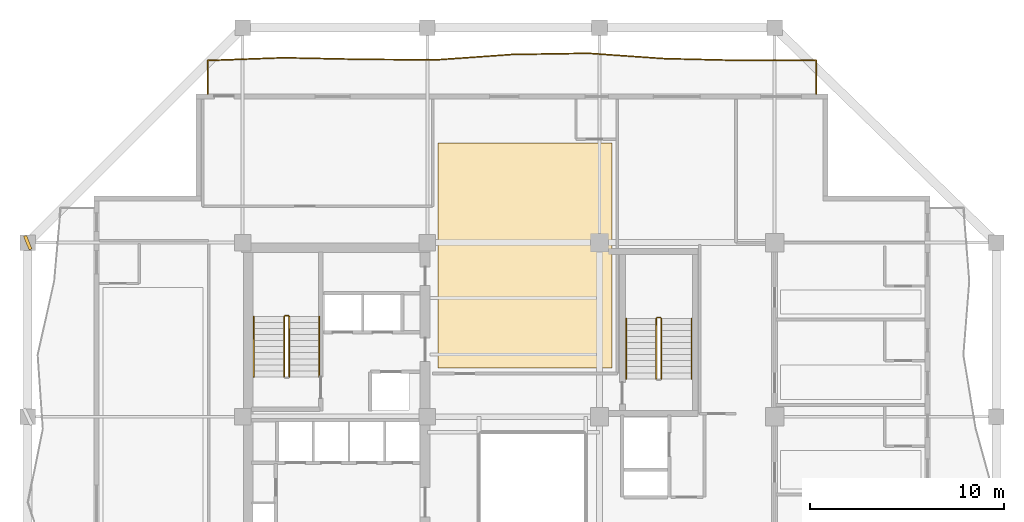
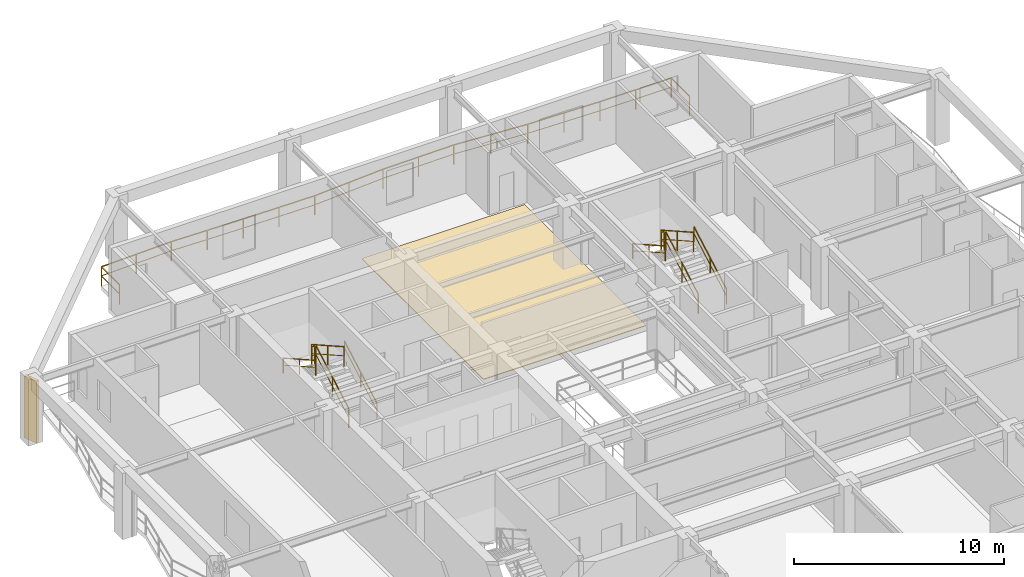
# One storey, part 11 of 13: 11 railings, 1 covering, 1 shading device.
"""IFC4 building model written with IfcOpenShell, lengths in metres."""

import ifcopenshell
import ifcopenshell.guid

model = None  # the IFC model being written
_history = None  # IfcOwnerHistory: only IFC2X3 demands one
_inside = {}  # id of a spatial element -> (the spatial element, [elements in it])
_under = {}  # id of a project, library or spatial element -> (it, [spatial elements below it])
_declared = {}  # id of a project -> (the project, [libraries it declares])
_typed = {}  # id of a type object -> (the type object, [elements of that type])
_made_of = {}  # id of a material, layer set ... -> (it, [elements and type objects made of it])


def new_model(schema):
    """Start an empty IFC model of exactly this schema.

    Asked for "IFC4X3", IfcOpenShell would pick the latest addendum, in which some entities
    have other attributes; the version numbers below select the first issue.
    IFC2X3 requires an IfcOwnerHistory on every rooted entity: one is made here for all.
    """
    global model, _history
    if schema == "IFC4X3":
        model = ifcopenshell.file(schema_version=(4, 3, 0, 0))
    else:
        model = ifcopenshell.file(schema=schema)
    _inside.clear()
    _under.clear()
    _declared.clear()
    _typed.clear()
    _made_of.clear()
    _history = None
    if model.schema == "IFC2X3":
        org = make("IfcOrganization", Name="unknown")
        user = make(
            "IfcPersonAndOrganization",
            ThePerson=make("IfcPerson", FamilyName="unknown"),
            TheOrganization=org,
        )
        app = make(
            "IfcApplication",
            ApplicationDeveloper=org,
            Version="unknown",
            ApplicationFullName="unknown",
            ApplicationIdentifier="unknown",
        )
        _history = make(
            "IfcOwnerHistory",
            OwningUser=user,
            OwningApplication=app,
            ChangeAction="ADDED",
            CreationDate=0,
        )
    return model


def make(cls, **values):
    """One entity of the class cls with the attributes given. An attribute that is None is left unset."""
    return model.create_entity(
        cls, **{name: value for name, value in values.items() if value is not None}
    )


def rooted(cls, **values):
    """An entity with a GlobalId (a new one), such as an element, a storey or a relation."""
    return make(cls, GlobalId=ifcopenshell.guid.new(), OwnerHistory=_history, **values)


def si_unit(unit_type, name, prefix=None):
    """IfcSIUnit, for example si_unit("LENGTHUNIT", "METRE", prefix="MILLI")."""
    return make("IfcSIUnit", UnitType=unit_type, Prefix=prefix, Name=name)


def assignment(units):
    """IfcUnitAssignment: the units of a project."""
    return None if units is None else make("IfcUnitAssignment", Units=units)


def point(xyz):
    """IfcCartesianPoint."""
    return None if xyz is None else make("IfcCartesianPoint", Coordinates=xyz)


def direction(xyz):
    """IfcDirection."""
    return None if xyz is None else make("IfcDirection", DirectionRatios=xyz)


def frame(location, z_axis=None, x_axis=None):
    """IfcAxis2Placement3D, a coordinate frame: its origin and axes. An axis left out is left unset."""
    return make(
        "IfcAxis2Placement3D",
        Location=point(location),
        Axis=direction(z_axis),
        RefDirection=direction(x_axis),
    )


def frame_2d(location, x_axis=None):
    """IfcAxis2Placement2D, a coordinate frame in the plane: its origin and x axis."""
    return make(
        "IfcAxis2Placement2D", Location=point(location), RefDirection=direction(x_axis)
    )


def origin():
    """The frame at (0, 0, 0) with its axes left unset."""
    return frame((0.0, 0.0, 0.0))


def origin_2d():
    """The frame at (0, 0) in the plane with its x axis left unset."""
    return frame_2d((0.0, 0.0))


def place(relative_to, where):
    """IfcLocalPlacement: puts the frame where relative to a parent placement (None: the world)."""
    return make(
        "IfcLocalPlacement", PlacementRelTo=relative_to, RelativePlacement=where
    )


def context(
    kind, dimensions, precision=None, world=None, true_north=None, identifier=None
):
    """IfcGeometricRepresentationContext, for example the 3D "Model" context."""
    return make(
        "IfcGeometricRepresentationContext",
        ContextIdentifier=identifier,
        ContextType=kind,
        CoordinateSpaceDimension=dimensions,
        Precision=precision,
        WorldCoordinateSystem=world,
        TrueNorth=true_north,
    )


def subcontext(parent, identifier, kind, view, scale=None):
    """IfcGeometricRepresentationSubContext, for example "Body" below "Model"."""
    return make(
        "IfcGeometricRepresentationSubContext",
        ContextIdentifier=identifier,
        ContextType=kind,
        ParentContext=parent,
        TargetScale=scale,
        TargetView=view,
    )


def project(units=None, contexts=None):
    """IfcProject with its units and contexts."""
    return rooted(
        "IfcProject",
        Name="project",
        RepresentationContexts=contexts,
        UnitsInContext=assignment(units),
    )


def spatial(cls, under=None, at=None, **own):
    """A site, building, storey or space (cls), placed at a placement, below another one or the project."""
    s = rooted(cls, ObjectPlacement=at, **own)
    if under is not None:
        _under.setdefault(under.id(), (under, []))[1].append(s)
    return s


def polyline(points):
    """IfcPolyline through the points."""
    return make("IfcPolyline", Points=[point(p) for p in points])


def profile(cls, at=None, kind="AREA", **sizes):
    """A parametric profile (cls). Its sizes go by their IFC names, for example OverallWidth=200.0."""
    return make(cls, ProfileType=kind, Position=at, **sizes)


def rectangle(**sizes):
    """IfcRectangleProfileDef."""
    return profile("IfcRectangleProfileDef", **sizes)


def outline(outer, holes=None, kind="AREA"):
    """IfcArbitraryClosedProfileDef: a profile drawn as a closed curve; with holes, ...WithVoids."""
    if holes is None:
        return make("IfcArbitraryClosedProfileDef", ProfileType=kind, OuterCurve=outer)
    return make(
        "IfcArbitraryProfileDefWithVoids",
        ProfileType=kind,
        OuterCurve=outer,
        InnerCurves=holes,
    )


def extrude(swept, where, along, depth):
    """IfcExtrudedAreaSolid: the profile swept, set in the frame where, extruded along a direction by depth."""
    return make(
        "IfcExtrudedAreaSolid",
        SweptArea=swept,
        Position=where,
        ExtrudedDirection=direction(along),
        Depth=depth,
    )


def shape(context_of_items, identifier, shape_type, items):
    """IfcShapeRepresentation: the items that make up one representation, for example the "Body"."""
    return make(
        "IfcShapeRepresentation",
        ContextOfItems=context_of_items,
        RepresentationIdentifier=identifier,
        RepresentationType=shape_type,
        Items=items,
    )


def material(Name=None, Category=None):
    """IfcMaterial."""
    return make("IfcMaterial", Name=Name, Category=Category)


def layer(
    of_material, thickness, ventilated=None, Name=None, Category=None, Priority=None
):
    """IfcMaterialLayer: one layer of a wall or slab, of a material (None: an air gap)."""
    return make(
        "IfcMaterialLayer",
        Material=of_material,
        LayerThickness=thickness,
        IsVentilated=ventilated,
        Name=Name,
        Category=Category,
        Priority=Priority,
    )


def layer_set(layers, Name=None):
    """IfcMaterialLayerSet."""
    return make("IfcMaterialLayerSet", MaterialLayers=layers, LayerSetName=Name)


def made_of(thing, what):
    """Note that an element or type object is made of a material, layer set ...; save() writes the relation."""
    if what is not None:
        _made_of.setdefault(what.id(), (what, []))[1].append(thing)
    return thing


def type_object(cls, material=None, **own):
    """A type object (cls), such as IfcWallType, which elements share."""
    return made_of(rooted(cls, **own), material)


def element(
    cls,
    number,
    at=None,
    inside=None,
    cuts=None,
    type_object=None,
    material=None,
    context=None,
    identifier="Body",
    shape_type=None,
    held_by="IfcProductDefinitionShape",
    body=None,
    shapes=None,
    **own,
):
    """One element of the class cls, such as IfcWall. Its Tag is "e" and its number.

    at: its placement. inside: the storey or other place that contains it. cuts: it is an
    opening in that element (IfcRelVoidsElement). A single representation is given by context,
    identifier, shape_type and body (its items); several are given by shapes. held_by: the class
    of the entity that holds the representations. save() writes the other relations.
    """
    e = rooted(cls, Tag="e%d" % number, ObjectPlacement=at, **own)
    if body is not None:
        shapes = [shape(context, identifier, shape_type, body)]
    if shapes is not None:
        e.Representation = make(held_by, Representations=shapes)
    if inside is not None:
        _inside.setdefault(inside.id(), (inside, []))[1].append(e)
    if cuts is not None:
        rooted(
            "IfcRelVoidsElement", RelatingBuildingElement=cuts, RelatedOpeningElement=e
        )
    if type_object is not None:
        _typed.setdefault(type_object.id(), (type_object, []))[1].append(e)
    return made_of(e, material)


def aggregate(whole, parts):
    """IfcRelAggregates: a whole, such as a stair, and the parts it consists of."""
    return rooted("IfcRelAggregates", RelatingObject=whole, RelatedObjects=parts)


def save(model, path):
    """Write the relations noted so far, then the file.

    IfcRelAggregates (storeys below a building ...), IfcRelContainedInSpatialStructure (elements
    in a storey), IfcRelDefinesByType, IfcRelAssociatesMaterial and IfcRelDeclares: one each for
    every whole, place, type object, material and project.
    """
    for whole, parts in _under.values():
        aggregate(whole, parts)
    for where, things in _inside.values():
        rooted(
            "IfcRelContainedInSpatialStructure",
            RelatedElements=things,
            RelatingStructure=where,
        )
    for kind, things in _typed.values():
        rooted("IfcRelDefinesByType", RelatedObjects=things, RelatingType=kind)
    for what, things in _made_of.values():
        rooted("IfcRelAssociatesMaterial", RelatedObjects=things, RelatingMaterial=what)
    for by, libraries in _declared.values():
        rooted("IfcRelDeclares", RelatingContext=by, RelatedDefinitions=libraries)
    model.write(path)


model = new_model("IFC4")

# Units and contexts
model_context = context("Model", 3, precision=1e-05, world=origin(), true_north=direction((0.0, 1.0)))
body_context = subcontext(model_context, "Body", "Model", "MODEL_VIEW")
ifc_project = project(units=[si_unit("LENGTHUNIT", "METRE"), si_unit("AREAUNIT", "SQUARE_METRE"), si_unit("VOLUMEUNIT", "CUBIC_METRE"), si_unit("PLANEANGLEUNIT", "RADIAN"), si_unit("MASSUNIT", "GRAM", prefix="KILO")], contexts=[model_context])

# Site, building, storey
site_placement = place(None, origin())
site = spatial("IfcSite", under=ifc_project, at=site_placement, CompositionType="ELEMENT")
building_placement = place(site_placement, origin())
building = spatial("IfcBuilding", under=site, at=building_placement, Name="Kundavana Baori Tower", CompositionType="ELEMENT")
storey_placement = place(building_placement, frame((0.0, 0.0, 184.85009765625)))
storey = spatial("IfcBuildingStorey", under=building, at=storey_placement, Name="L45", CompositionType="ELEMENT", Elevation=184.85009765625)

# Covering
ifc_material_1 = material(Name="Honed Kota Stone and Terrazzo Flooring", Category="masonry")
ifc_layer = layer(ifc_material_1, 0.0400390625, Name="COV-FLR-TERR-40")
ifc_layer_set = layer_set([ifc_layer], Name="Honed Kota Stone and Terrazzo Flooring")
covering_type = type_object("IfcCoveringType", Name="COV-FLR-TERR-40", PredefinedType="FLOORING", material=ifc_layer_set)
covering_placement = place(storey_placement, origin())
element("IfcCovering", 1, at=covering_placement, inside=storey, type_object=covering_type, Name="L45 Room Finished Stone Flooring 10", PredefinedType="FLOORING", context=body_context, shape_type="SweptSolid", body=[
    extrude(outline(polyline([(25.5, 35.5), (34.43994140625, 35.5), (34.43994140625, 47.070068359375), (25.5, 47.070068359375), (25.5, 35.5)])), origin(), (0.0, 0.0, 1.0), 0.039794921875),
])

# Railings
ifc_material_2 = material(Name="Architectural Patinated Bronze Metalwork")
railing_type_1 = type_object("IfcRailingType", Name="RL-BAL-1150", PredefinedType="BALUSTRADE", material=ifc_material_2)
railing_1_placement = place(storey_placement, frame((13.64990234375, 49.60009765625, 0.0)))
element("IfcRailing", 2, at=railing_1_placement, inside=storey, type_object=railing_type_1, Name="L45 Loggia Balcony Balustrade N", PredefinedType="BALUSTRADE", context=body_context, shape_type="SweptSolid", body=[
    extrude(rectangle(XDim=0.048095703125, YDim=0.048095703125, at=origin_2d()), frame((0.0, 0.0, 1.1259765625), z_axis=(0.0, 1.0, 0.0), x_axis=(-1.0, 0.0, 0.0)), (0.0, 0.0, 1.0), 1.719970703125),
    extrude(rectangle(XDim=0.03125, YDim=0.03125, at=origin_2d()), frame((0.0, 0.0, 0.597900390625), z_axis=(0.0, 1.0, 0.0), x_axis=(-1.0, 0.0, 0.0)), (0.0, 0.0, 1.0), 1.719970703125),
    extrude(rectangle(XDim=0.048095703125, YDim=0.048095703125, at=origin_2d()), frame((0.0, 1.719970703125, 1.1259765625), z_axis=(0.999352324192, 0.035985165443, 0.0), x_axis=(-0.035985165443, 0.999352324192, 0.0)), (0.0, 0.0, 1.0), 3.91455078125),
    extrude(rectangle(XDim=0.03125, YDim=0.03125, at=origin_2d()), frame((0.0, 1.719970703125, 0.597900390625), z_axis=(0.999352324192, 0.035985165443, 0.0), x_axis=(-0.035985165443, 0.999352324192, 0.0)), (0.0, 0.0, 1.0), 3.91455078125),
    extrude(rectangle(XDim=0.048095703125, YDim=0.048095703125, at=origin_2d()), frame((3.912109375, 1.86083984375, 1.1259765625), z_axis=(0.999785539271, -0.02070930865, 0.0), x_axis=(0.02070930865, 0.999785539271, 0.0)), (0.0, 0.0, 1.0), 3.913818359375),
    extrude(rectangle(XDim=0.03125, YDim=0.03125, at=origin_2d()), frame((3.912109375, 1.86083984375, 0.597900390625), z_axis=(0.999785539271, -0.02070930865, 0.0), x_axis=(0.02070930865, 0.999785539271, 0.0)), (0.0, 0.0, 1.0), 3.913818359375),
    extrude(rectangle(XDim=0.048095703125, YDim=0.048095703125, at=origin_2d()), frame((7.8251953125, 1.77978515625, 1.1259765625), z_axis=(0.999972897342, -0.007362376108, 0.0), x_axis=(0.007362376108, 0.999972897342, 0.0)), (0.0, 0.0, 1.0), 3.912841796875),
    extrude(rectangle(XDim=0.03125, YDim=0.03125, at=origin_2d()), frame((7.8251953125, 1.77978515625, 0.597900390625), z_axis=(0.999972897342, -0.007362376108, 0.0), x_axis=(0.007362376108, 0.999972897342, 0.0)), (0.0, 0.0, 1.0), 3.912841796875),
    extrude(rectangle(XDim=0.048095703125, YDim=0.048095703125, at=origin_2d()), frame((11.738037109375, 1.7509765625, 1.1259765625), z_axis=(0.997470062479, 0.071087794018, 0.0), x_axis=(-0.071087794018, 0.997470062479, 0.0)), (0.0, 0.0, 1.0), 3.922119140625),
    extrude(rectangle(XDim=0.03125, YDim=0.03125, at=origin_2d()), frame((11.738037109375, 1.7509765625, 0.597900390625), z_axis=(0.997470062479, 0.071087794018, 0.0), x_axis=(-0.071087794018, 0.997470062479, 0.0)), (0.0, 0.0, 1.0), 3.922119140625),
    extrude(rectangle(XDim=0.048095703125, YDim=0.048095703125, at=origin_2d()), frame((15.650146484375, 2.02978515625, 1.1259765625), z_axis=(0.999878362831, 0.015596779853, 0.0), x_axis=(-0.015596779853, 0.999878362831, 0.0)), (0.0, 0.0, 1.0), 3.913330078125),
    extrude(rectangle(XDim=0.03125, YDim=0.03125, at=origin_2d()), frame((15.650146484375, 2.02978515625, 0.597900390625), z_axis=(0.999878362831, 0.015596779853, 0.0), x_axis=(-0.015596779853, 0.999878362831, 0.0)), (0.0, 0.0, 1.0), 3.913330078125),
    extrude(rectangle(XDim=0.048095703125, YDim=0.048095703125, at=origin_2d()), frame((19.56298828125, 2.0908203125, 1.1259765625), z_axis=(0.997557579255, -0.069848951818, 0.0), x_axis=(0.069848951818, 0.997557579255, 0.0)), (0.0, 0.0, 1.0), 3.921630859375),
    extrude(rectangle(XDim=0.03125, YDim=0.03125, at=origin_2d()), frame((19.56298828125, 2.0908203125, 0.597900390625), z_axis=(0.997557579255, -0.069848951818, 0.0), x_axis=(0.069848951818, 0.997557579255, 0.0)), (0.0, 0.0, 1.0), 3.921630859375),
    extrude(rectangle(XDim=0.048095703125, YDim=0.048095703125, at=origin_2d()), frame((23.47509765625, 1.81689453125, 1.1259765625), z_axis=(0.999711633431, -0.024013537489, 0.0), x_axis=(0.024013537489, 0.999711633431, 0.0)), (0.0, 0.0, 1.0), 3.914306640625),
    extrude(rectangle(XDim=0.03125, YDim=0.03125, at=origin_2d()), frame((23.47509765625, 1.81689453125, 0.597900390625), z_axis=(0.999711633431, -0.024013537489, 0.0), x_axis=(0.024013537489, 0.999711633431, 0.0)), (0.0, 0.0, 1.0), 3.914306640625),
    extrude(rectangle(XDim=0.048095703125, YDim=0.048095703125, at=origin_2d()), frame((27.38818359375, 1.722900390625, 1.1259765625), z_axis=(0.999999719557, -0.000748923213, 0.0), x_axis=(0.000748923213, 0.999999719557, 0.0)), (0.0, 0.0, 1.0), 3.911865234375),
    extrude(rectangle(XDim=0.03125, YDim=0.03125, at=origin_2d()), frame((27.38818359375, 1.722900390625, 0.597900390625), z_axis=(0.999999719557, -0.000748923213, 0.0), x_axis=(0.000748923213, 0.999999719557, 0.0)), (0.0, 0.0, 1.0), 3.911865234375),
    extrude(rectangle(XDim=0.048095703125, YDim=0.048095703125, at=origin_2d()), frame((31.300048828125, 1.719970703125, 1.1259765625), z_axis=(0.0, -1.0, 0.0), x_axis=(1.0, 0.0, 0.0)), (0.0, 0.0, 1.0), 1.719970703125),
    extrude(rectangle(XDim=0.03125, YDim=0.03125, at=origin_2d()), frame((31.300048828125, 1.719970703125, 0.597900390625), z_axis=(0.0, -1.0, 0.0), x_axis=(1.0, 0.0, 0.0)), (0.0, 0.0, 1.0), 1.719970703125),
    extrude(rectangle(XDim=0.0419921875, YDim=0.0419921875, at=origin_2d()), origin(), (0.0, 0.0, 1.0), 1.101806640625),
    extrude(rectangle(XDim=0.0419921875, YDim=0.0419921875, at=origin_2d()), frame((0.0, 1.719970703125, 0.0)), (0.0, 0.0, 1.0), 1.101806640625),
    extrude(rectangle(XDim=0.0419921875, YDim=0.0419921875, at=origin_2d()), frame((1.9560546875, 1.79052734375, 0.0)), (0.0, 0.0, 1.0), 1.101806640625),
    extrude(rectangle(XDim=0.0419921875, YDim=0.0419921875, at=origin_2d()), frame((3.912109375, 1.86083984375, 0.0)), (0.0, 0.0, 1.0), 1.101806640625),
    extrude(rectangle(XDim=0.0419921875, YDim=0.0419921875, at=origin_2d()), frame((5.86865234375, 1.8203125, 0.0)), (0.0, 0.0, 1.0), 1.101806640625),
    extrude(rectangle(XDim=0.0419921875, YDim=0.0419921875, at=origin_2d()), frame((7.8251953125, 1.77978515625, 0.0)), (0.0, 0.0, 1.0), 1.101806640625),
    extrude(rectangle(XDim=0.0419921875, YDim=0.0419921875, at=origin_2d()), frame((9.78173828125, 1.765380859375, 0.0)), (0.0, 0.0, 1.0), 1.101806640625),
    extrude(rectangle(XDim=0.0419921875, YDim=0.0419921875, at=origin_2d()), frame((11.738037109375, 1.7509765625, 0.0)), (0.0, 0.0, 1.0), 1.101806640625),
    extrude(rectangle(XDim=0.0419921875, YDim=0.0419921875, at=origin_2d()), frame((13.694091796875, 1.890380859375, 0.0)), (0.0, 0.0, 1.0), 1.101806640625),
    extrude(rectangle(XDim=0.0419921875, YDim=0.0419921875, at=origin_2d()), frame((15.650146484375, 2.02978515625, 0.0)), (0.0, 0.0, 1.0), 1.101806640625),
    extrude(rectangle(XDim=0.0419921875, YDim=0.0419921875, at=origin_2d()), frame((17.6064453125, 2.060302734375, 0.0)), (0.0, 0.0, 1.0), 1.101806640625),
    extrude(rectangle(XDim=0.0419921875, YDim=0.0419921875, at=origin_2d()), frame((19.56298828125, 2.0908203125, 0.0)), (0.0, 0.0, 1.0), 1.101806640625),
    extrude(rectangle(XDim=0.0419921875, YDim=0.0419921875, at=origin_2d()), frame((21.51904296875, 1.953857421875, 0.0)), (0.0, 0.0, 1.0), 1.101806640625),
    extrude(rectangle(XDim=0.0419921875, YDim=0.0419921875, at=origin_2d()), frame((23.47509765625, 1.81689453125, 0.0)), (0.0, 0.0, 1.0), 1.101806640625),
    extrude(rectangle(XDim=0.0419921875, YDim=0.0419921875, at=origin_2d()), frame((25.431640625, 1.77001953125, 0.0)), (0.0, 0.0, 1.0), 1.101806640625),
    extrude(rectangle(XDim=0.0419921875, YDim=0.0419921875, at=origin_2d()), frame((27.38818359375, 1.722900390625, 0.0)), (0.0, 0.0, 1.0), 1.101806640625),
    extrude(rectangle(XDim=0.0419921875, YDim=0.0419921875, at=origin_2d()), frame((29.34423828125, 1.721435546875, 0.0)), (0.0, 0.0, 1.0), 1.101806640625),
    extrude(rectangle(XDim=0.0419921875, YDim=0.0419921875, at=origin_2d()), frame((31.300048828125, 1.719970703125, 0.0)), (0.0, 0.0, 1.0), 1.101806640625),
    extrude(rectangle(XDim=0.0419921875, YDim=0.0419921875, at=origin_2d()), frame((31.300048828125, 0.0, 0.0)), (0.0, 0.0, 1.0), 1.101806640625),
])
ifc_material_3 = material(Name="Architectural Patinated Bronze Metalwork")
railing_type_2 = type_object("IfcRailingType", Name="RL-GRD-1150", PredefinedType="GUARDRAIL", material=ifc_material_3)
railing_2_placement = place(storey_placement, frame((17.840087890625, 35.050048828125, 0.1748046875)))
element("IfcRailing", 3, at=railing_2_placement, inside=storey, type_object=railing_type_2, Name="L45 ST2 stair guard 1", PredefinedType="GUARDRAIL", context=body_context, shape_type="SweptSolid", body=[
    extrude(rectangle(XDim=0.048095703125, YDim=0.048095703125, at=origin_2d()), frame((0.0, 0.0, 1.1259765625), z_axis=(0.0, 0.870814364268, 0.491611984175), x_axis=(-1.0, 0.0, 0.0)), (0.0, 0.0, 1.0), 3.559814453125),
    extrude(rectangle(XDim=0.03125, YDim=0.03125, at=origin_2d()), frame((0.0, 0.0, 0.597900390625), z_axis=(0.0, 0.870814364268, 0.491611984175), x_axis=(-1.0, 0.0, 0.0)), (0.0, 0.0, 1.0), 3.559814453125),
    extrude(rectangle(XDim=0.0419921875, YDim=0.0419921875, at=origin_2d()), origin(), (0.0, 0.0, 1.0), 1.101806640625),
    extrude(rectangle(XDim=0.0419921875, YDim=0.0419921875, at=origin_2d()), frame((0.0, 1.5498046875, 0.875)), (0.0, 0.0, 1.0), 1.101806640625),
    extrude(rectangle(XDim=0.0419921875, YDim=0.0419921875, at=origin_2d()), frame((0.0, 3.099853515625, 1.75)), (0.0, 0.0, 1.0), 1.101806640625),
])
railing_3_placement = place(storey_placement, frame((17.7900390625, 38.199951171875, 1.9248046875)))
element("IfcRailing", 4, at=railing_3_placement, inside=storey, type_object=railing_type_2, Name="L45 ST2 stair guard 2", PredefinedType="GUARDRAIL", context=body_context, shape_type="SweptSolid", body=[
    extrude(rectangle(XDim=0.048095703125, YDim=0.048095703125, at=origin_2d()), frame((0.0, 0.0, 1.1259765625), z_axis=(-1.0, 0.0, 0.0), x_axis=(0.0, -1.0, 0.0)), (0.0, 0.0, 1.0), 0.16015625),
    extrude(rectangle(XDim=0.03125, YDim=0.03125, at=origin_2d()), frame((0.0, 0.0, 0.597900390625), z_axis=(-1.0, 0.0, 0.0), x_axis=(0.0, -1.0, 0.0)), (0.0, 0.0, 1.0), 0.16015625),
    extrude(rectangle(XDim=0.0419921875, YDim=0.0419921875, at=origin_2d()), origin(), (0.0, 0.0, 1.0), 1.101806640625),
    extrude(rectangle(XDim=0.0419921875, YDim=0.0419921875, at=origin_2d()), frame((-0.16015625, 0.0, 0.0)), (0.0, 0.0, 1.0), 1.101806640625),
])
railing_4_placement = place(storey_placement, frame((17.580078125, 38.14990234375, 2.099853515625)))
element("IfcRailing", 5, at=railing_4_placement, inside=storey, type_object=railing_type_2, Name="L45 ST2 stair guard 3", PredefinedType="GUARDRAIL", context=body_context, shape_type="SweptSolid", body=[
    extrude(rectangle(XDim=0.048095703125, YDim=0.048095703125, at=origin_2d()), frame((0.0, 0.0, 1.1259765625), z_axis=(0.0, -0.870814364268, 0.491611984175), x_axis=(1.0, 0.0, 0.0)), (0.0, 0.0, 1.0), 3.559814453125),
    extrude(rectangle(XDim=0.03125, YDim=0.03125, at=origin_2d()), frame((0.0, 0.0, 0.597900390625), z_axis=(0.0, -0.870814364268, 0.491611984175), x_axis=(1.0, 0.0, 0.0)), (0.0, 0.0, 1.0), 3.559814453125),
    extrude(rectangle(XDim=0.0419921875, YDim=0.0419921875, at=origin_2d()), origin(), (0.0, 0.0, 1.0), 1.101806640625),
    extrude(rectangle(XDim=0.0419921875, YDim=0.0419921875, at=origin_2d()), frame((0.0, -1.5498046875, 0.875)), (0.0, 0.0, 1.0), 1.101806640625),
    extrude(rectangle(XDim=0.0419921875, YDim=0.0419921875, at=origin_2d()), frame((0.0, -3.099853515625, 1.75)), (0.0, 0.0, 1.0), 1.101806640625),
])
railing_5_placement = place(storey_placement, frame((36.97998046875, 34.949951171875, 0.1748046875)))
element("IfcRailing", 6, at=railing_5_placement, inside=storey, type_object=railing_type_2, Name="L45 ST3 stair guard 1", PredefinedType="GUARDRAIL", context=body_context, shape_type="SweptSolid", body=[
    extrude(rectangle(XDim=0.048095703125, YDim=0.048095703125, at=origin_2d()), frame((0.0, 0.0, 1.1259765625), z_axis=(0.0, 0.870830938388, 0.491582624537), x_axis=(-1.0, 0.0, 0.0)), (0.0, 0.0, 1.0), 3.559814453125),
    extrude(rectangle(XDim=0.03125, YDim=0.03125, at=origin_2d()), frame((0.0, 0.0, 0.597900390625), z_axis=(0.0, 0.870830938388, 0.491582624537), x_axis=(-1.0, 0.0, 0.0)), (0.0, 0.0, 1.0), 3.559814453125),
    extrude(rectangle(XDim=0.0419921875, YDim=0.0419921875, at=origin_2d()), origin(), (0.0, 0.0, 1.0), 1.101806640625),
    extrude(rectangle(XDim=0.0419921875, YDim=0.0419921875, at=origin_2d()), frame((0.0, 1.550048828125, 0.875)), (0.0, 0.0, 1.0), 1.101806640625),
    extrude(rectangle(XDim=0.0419921875, YDim=0.0419921875, at=origin_2d()), frame((0.0, 3.10009765625, 1.75)), (0.0, 0.0, 1.0), 1.101806640625),
])
railing_6_placement = place(storey_placement, frame((36.929931640625, 38.10009765625, 1.9248046875)))
element("IfcRailing", 7, at=railing_6_placement, inside=storey, type_object=railing_type_2, Name="L45 ST3 stair guard 2", PredefinedType="GUARDRAIL", context=body_context, shape_type="SweptSolid", body=[
    extrude(rectangle(XDim=0.048095703125, YDim=0.048095703125, at=origin_2d()), frame((0.0, 0.0, 1.1259765625), z_axis=(-1.0, 0.0, 0.0), x_axis=(0.0, -1.0, 0.0)), (0.0, 0.0, 1.0), 0.159912109375),
    extrude(rectangle(XDim=0.03125, YDim=0.03125, at=origin_2d()), frame((0.0, 0.0, 0.597900390625), z_axis=(-1.0, 0.0, 0.0), x_axis=(0.0, -1.0, 0.0)), (0.0, 0.0, 1.0), 0.159912109375),
    extrude(rectangle(XDim=0.0419921875, YDim=0.0419921875, at=origin_2d()), origin(), (0.0, 0.0, 1.0), 1.101806640625),
    extrude(rectangle(XDim=0.0419921875, YDim=0.0419921875, at=origin_2d()), frame((-0.159912109375, 0.0, 0.0)), (0.0, 0.0, 1.0), 1.101806640625),
])
railing_7_placement = place(storey_placement, frame((36.719970703125, 38.050048828125, 2.099853515625)))
element("IfcRailing", 8, at=railing_7_placement, inside=storey, type_object=railing_type_2, Name="L45 ST3 stair guard 3", PredefinedType="GUARDRAIL", context=body_context, shape_type="SweptSolid", body=[
    extrude(rectangle(XDim=0.048095703125, YDim=0.048095703125, at=origin_2d()), frame((0.0, 0.0, 1.1259765625), z_axis=(0.0, -0.870830938388, 0.491582624537), x_axis=(1.0, 0.0, 0.0)), (0.0, 0.0, 1.0), 3.559814453125),
    extrude(rectangle(XDim=0.03125, YDim=0.03125, at=origin_2d()), frame((0.0, 0.0, 0.597900390625), z_axis=(0.0, -0.870830938388, 0.491582624537), x_axis=(1.0, 0.0, 0.0)), (0.0, 0.0, 1.0), 3.559814453125),
    extrude(rectangle(XDim=0.0419921875, YDim=0.0419921875, at=origin_2d()), origin(), (0.0, 0.0, 1.0), 1.101806640625),
    extrude(rectangle(XDim=0.0419921875, YDim=0.0419921875, at=origin_2d()), frame((0.0, -1.550048828125, 0.875)), (0.0, 0.0, 1.0), 1.101806640625),
    extrude(rectangle(XDim=0.0419921875, YDim=0.0419921875, at=origin_2d()), frame((0.0, -3.10009765625, 1.75)), (0.0, 0.0, 1.0), 1.101806640625),
])
ifc_material_4 = material(Name="Architectural Patinated Bronze Metalwork")
railing_type_3 = type_object("IfcRailingType", Name="RL-HND-920", PredefinedType="HANDRAIL", material=ifc_material_4)
railing_8_placement = place(storey_placement, frame((19.389892578125, 35.050048828125, 0.1748046875)))
element("IfcRailing", 9, at=railing_8_placement, inside=storey, type_object=railing_type_3, Name="L45 ST2 stair handrail 1", PredefinedType="HANDRAIL", context=body_context, shape_type="SweptSolid", body=[
    extrude(rectangle(XDim=0.048095703125, YDim=0.048095703125, at=origin_2d()), frame((0.0, 0.0, 0.8759765625), z_axis=(0.0, 0.870814364268, 0.491611984175), x_axis=(-1.0, 0.0, 0.0)), (0.0, 0.0, 1.0), 3.559814453125),
    extrude(rectangle(XDim=0.03125, YDim=0.03125, at=origin_2d()), frame((0.0, 0.0, 0.468017578125), z_axis=(0.0, 0.870814364268, 0.491611984175), x_axis=(-1.0, 0.0, 0.0)), (0.0, 0.0, 1.0), 3.559814453125),
    extrude(rectangle(XDim=0.0419921875, YDim=0.0419921875, at=origin_2d()), origin(), (0.0, 0.0, 1.0), 0.851806640625),
    extrude(rectangle(XDim=0.0419921875, YDim=0.0419921875, at=origin_2d()), frame((0.0, 1.5498046875, 0.875)), (0.0, 0.0, 1.0), 0.851806640625),
    extrude(rectangle(XDim=0.0419921875, YDim=0.0419921875, at=origin_2d()), frame((0.0, 3.099853515625, 1.75)), (0.0, 0.0, 1.0), 0.851806640625),
])
railing_9_placement = place(storey_placement, frame((16.030029296875, 38.14990234375, 2.099853515625)))
element("IfcRailing", 10, at=railing_9_placement, inside=storey, type_object=railing_type_3, Name="L45 ST2 stair handrail 2", PredefinedType="HANDRAIL", context=body_context, shape_type="SweptSolid", body=[
    extrude(rectangle(XDim=0.048095703125, YDim=0.048095703125, at=origin_2d()), frame((0.0, 0.0, 0.8759765625), z_axis=(0.0, -0.870814364268, 0.491611984175), x_axis=(1.0, 0.0, 0.0)), (0.0, 0.0, 1.0), 3.559814453125),
    extrude(rectangle(XDim=0.03125, YDim=0.03125, at=origin_2d()), frame((0.0, 0.0, 0.468017578125), z_axis=(0.0, -0.870814364268, 0.491611984175), x_axis=(1.0, 0.0, 0.0)), (0.0, 0.0, 1.0), 3.559814453125),
    extrude(rectangle(XDim=0.0419921875, YDim=0.0419921875, at=origin_2d()), origin(), (0.0, 0.0, 1.0), 0.851806640625),
    extrude(rectangle(XDim=0.0419921875, YDim=0.0419921875, at=origin_2d()), frame((0.0, -1.5498046875, 0.875)), (0.0, 0.0, 1.0), 0.851806640625),
    extrude(rectangle(XDim=0.0419921875, YDim=0.0419921875, at=origin_2d()), frame((0.0, -3.099853515625, 1.75)), (0.0, 0.0, 1.0), 0.851806640625),
])
railing_10_placement = place(storey_placement, frame((38.530029296875, 34.949951171875, 0.1748046875)))
element("IfcRailing", 11, at=railing_10_placement, inside=storey, type_object=railing_type_3, Name="L45 ST3 stair handrail 1", PredefinedType="HANDRAIL", context=body_context, shape_type="SweptSolid", body=[
    extrude(rectangle(XDim=0.048095703125, YDim=0.048095703125, at=origin_2d()), frame((0.0, 0.0, 0.8759765625), z_axis=(0.0, 0.870830938388, 0.491582624537), x_axis=(-1.0, 0.0, 0.0)), (0.0, 0.0, 1.0), 3.559814453125),
    extrude(rectangle(XDim=0.03125, YDim=0.03125, at=origin_2d()), frame((0.0, 0.0, 0.468017578125), z_axis=(0.0, 0.870830938388, 0.491582624537), x_axis=(-1.0, 0.0, 0.0)), (0.0, 0.0, 1.0), 3.559814453125),
    extrude(rectangle(XDim=0.0419921875, YDim=0.0419921875, at=origin_2d()), origin(), (0.0, 0.0, 1.0), 0.851806640625),
    extrude(rectangle(XDim=0.0419921875, YDim=0.0419921875, at=origin_2d()), frame((0.0, 1.550048828125, 0.875)), (0.0, 0.0, 1.0), 0.851806640625),
    extrude(rectangle(XDim=0.0419921875, YDim=0.0419921875, at=origin_2d()), frame((0.0, 3.10009765625, 1.75)), (0.0, 0.0, 1.0), 0.851806640625),
])
railing_11_placement = place(storey_placement, frame((35.169921875, 38.050048828125, 2.099853515625)))
element("IfcRailing", 12, at=railing_11_placement, inside=storey, type_object=railing_type_3, Name="L45 ST3 stair handrail 2", PredefinedType="HANDRAIL", context=body_context, shape_type="SweptSolid", body=[
    extrude(rectangle(XDim=0.048095703125, YDim=0.048095703125, at=origin_2d()), frame((0.0, 0.0, 0.8759765625), z_axis=(0.0, -0.870830938388, 0.491582624537), x_axis=(1.0, 0.0, 0.0)), (0.0, 0.0, 1.0), 3.559814453125),
    extrude(rectangle(XDim=0.03125, YDim=0.03125, at=origin_2d()), frame((0.0, 0.0, 0.468017578125), z_axis=(0.0, -0.870830938388, 0.491582624537), x_axis=(1.0, 0.0, 0.0)), (0.0, 0.0, 1.0), 3.559814453125),
    extrude(rectangle(XDim=0.0419921875, YDim=0.0419921875, at=origin_2d()), origin(), (0.0, 0.0, 1.0), 0.851806640625),
    extrude(rectangle(XDim=0.0419921875, YDim=0.0419921875, at=origin_2d()), frame((0.0, -1.550048828125, 0.875)), (0.0, 0.0, 1.0), 0.851806640625),
    extrude(rectangle(XDim=0.0419921875, YDim=0.0419921875, at=origin_2d()), frame((0.0, -3.10009765625, 1.75)), (0.0, 0.0, 1.0), 0.851806640625),
])

# Shading device
ifc_material_5 = material(Name="Red-Buff Dholpur Sandstone Cladding on Concrete C40/50", Category="masonry")
shading_device_type = type_object("IfcShadingDeviceType", Name="SHD-FIN-750", PredefinedType="JALOUSIE", material=ifc_material_5)
shading_device_placement = place(storey_placement, frame((4.39990234375, 41.949951171875, -0.000244140625), z_axis=(0.0, 0.0, 1.0), x_axis=(0.926002419716, 0.377517574003, 0.0)))
element("IfcShadingDevice", 13, at=shading_device_placement, inside=storey, type_object=shading_device_type, Name="L45 Sweeping Dholpur Sandstone Facade Fin 8", PredefinedType="JALOUSIE", context=body_context, shape_type="SweptSolid", body=[
    extrude(rectangle(XDim=0.159912109375, YDim=0.75, at=origin_2d()), origin(), (0.0, 0.0, 1.0), 3.60009765625),
])

save(model, "model.ifc")
